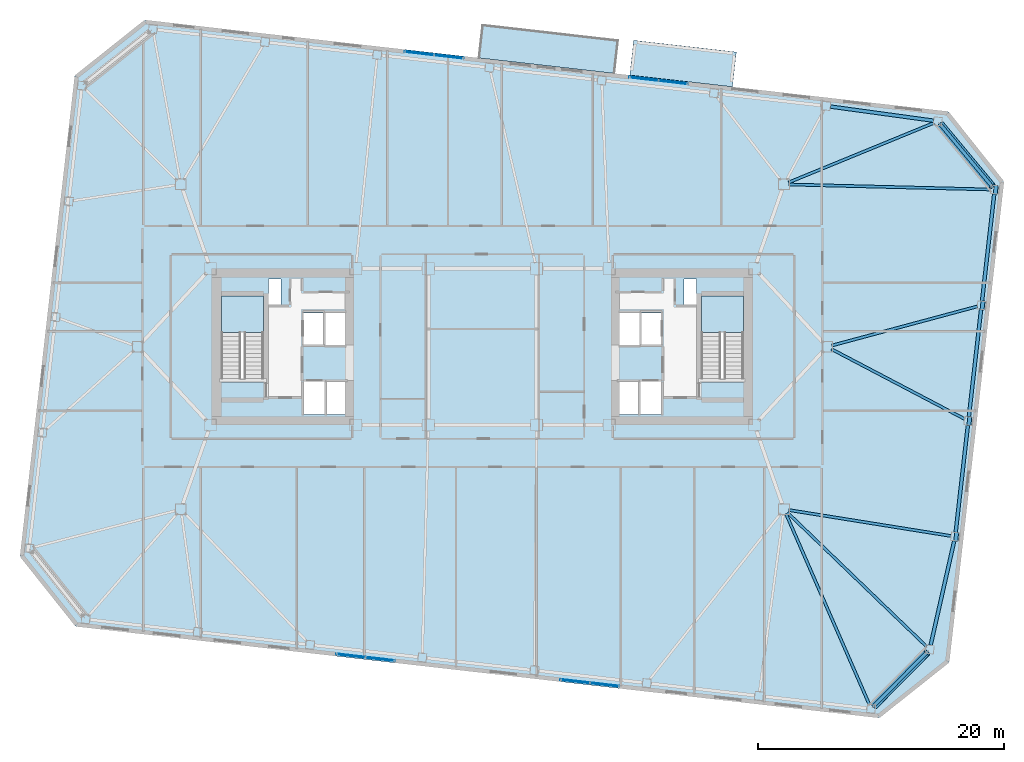
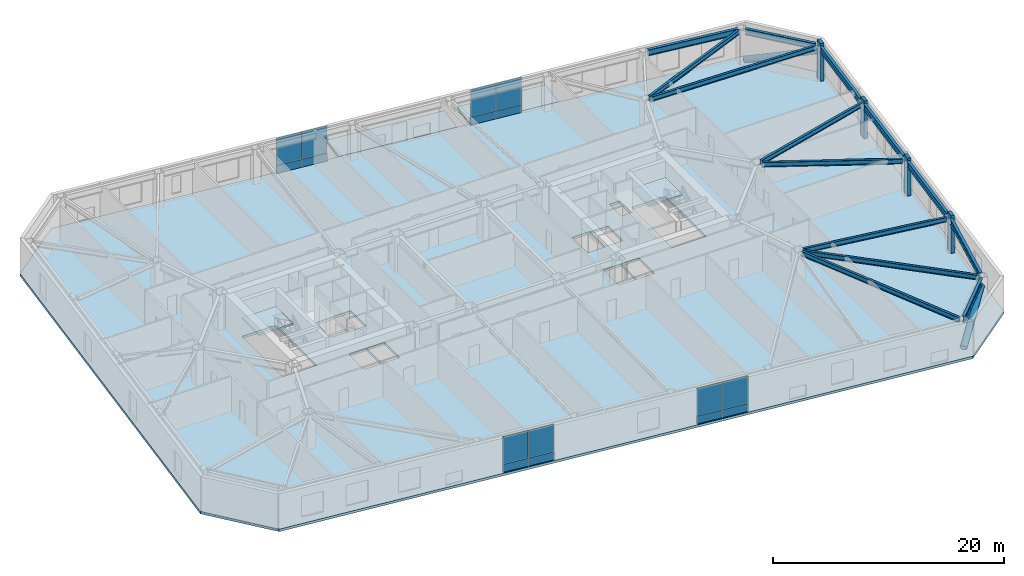
# One storey, part 10 of 21: 16 plates, 14 beams, 6 members, 5 slabs, 6 elements without a shape of their own.
"""IFC4 building model written with IfcOpenShell, lengths in metres."""

import ifcopenshell
import ifcopenshell.guid

model = None  # the IFC model being written
_history = None  # IfcOwnerHistory: only IFC2X3 demands one
_inside = {}  # id of a spatial element -> (the spatial element, [elements in it])
_under = {}  # id of a project, library or spatial element -> (it, [spatial elements below it])
_declared = {}  # id of a project -> (the project, [libraries it declares])
_typed = {}  # id of a type object -> (the type object, [elements of that type])
_made_of = {}  # id of a material, layer set ... -> (it, [elements and type objects made of it])


def new_model(schema):
    """Start an empty IFC model of exactly this schema.

    Asked for "IFC4X3", IfcOpenShell would pick the latest addendum, in which some entities
    have other attributes; the version numbers below select the first issue.
    IFC2X3 requires an IfcOwnerHistory on every rooted entity: one is made here for all.
    """
    global model, _history
    if schema == "IFC4X3":
        model = ifcopenshell.file(schema_version=(4, 3, 0, 0))
    else:
        model = ifcopenshell.file(schema=schema)
    _inside.clear()
    _under.clear()
    _declared.clear()
    _typed.clear()
    _made_of.clear()
    _history = None
    if model.schema == "IFC2X3":
        org = make("IfcOrganization", Name="unknown")
        user = make(
            "IfcPersonAndOrganization",
            ThePerson=make("IfcPerson", FamilyName="unknown"),
            TheOrganization=org,
        )
        app = make(
            "IfcApplication",
            ApplicationDeveloper=org,
            Version="unknown",
            ApplicationFullName="unknown",
            ApplicationIdentifier="unknown",
        )
        _history = make(
            "IfcOwnerHistory",
            OwningUser=user,
            OwningApplication=app,
            ChangeAction="ADDED",
            CreationDate=0,
        )
    return model


def make(cls, **values):
    """One entity of the class cls with the attributes given. An attribute that is None is left unset."""
    return model.create_entity(
        cls, **{name: value for name, value in values.items() if value is not None}
    )


def rooted(cls, **values):
    """An entity with a GlobalId (a new one), such as an element, a storey or a relation."""
    return make(cls, GlobalId=ifcopenshell.guid.new(), OwnerHistory=_history, **values)


def si_unit(unit_type, name, prefix=None):
    """IfcSIUnit, for example si_unit("LENGTHUNIT", "METRE", prefix="MILLI")."""
    return make("IfcSIUnit", UnitType=unit_type, Prefix=prefix, Name=name)


def assignment(units):
    """IfcUnitAssignment: the units of a project."""
    return None if units is None else make("IfcUnitAssignment", Units=units)


def point(xyz):
    """IfcCartesianPoint."""
    return None if xyz is None else make("IfcCartesianPoint", Coordinates=xyz)


def direction(xyz):
    """IfcDirection."""
    return None if xyz is None else make("IfcDirection", DirectionRatios=xyz)


def frame(location, z_axis=None, x_axis=None):
    """IfcAxis2Placement3D, a coordinate frame: its origin and axes. An axis left out is left unset."""
    return make(
        "IfcAxis2Placement3D",
        Location=point(location),
        Axis=direction(z_axis),
        RefDirection=direction(x_axis),
    )


def frame_2d(location, x_axis=None):
    """IfcAxis2Placement2D, a coordinate frame in the plane: its origin and x axis."""
    return make(
        "IfcAxis2Placement2D", Location=point(location), RefDirection=direction(x_axis)
    )


def origin():
    """The frame at (0, 0, 0) with its axes left unset."""
    return frame((0.0, 0.0, 0.0))


def origin_2d():
    """The frame at (0, 0) in the plane with its x axis left unset."""
    return frame_2d((0.0, 0.0))


def place(relative_to, where):
    """IfcLocalPlacement: puts the frame where relative to a parent placement (None: the world)."""
    return make(
        "IfcLocalPlacement", PlacementRelTo=relative_to, RelativePlacement=where
    )


def context(
    kind, dimensions, precision=None, world=None, true_north=None, identifier=None
):
    """IfcGeometricRepresentationContext, for example the 3D "Model" context."""
    return make(
        "IfcGeometricRepresentationContext",
        ContextIdentifier=identifier,
        ContextType=kind,
        CoordinateSpaceDimension=dimensions,
        Precision=precision,
        WorldCoordinateSystem=world,
        TrueNorth=true_north,
    )


def subcontext(parent, identifier, kind, view, scale=None):
    """IfcGeometricRepresentationSubContext, for example "Body" below "Model"."""
    return make(
        "IfcGeometricRepresentationSubContext",
        ContextIdentifier=identifier,
        ContextType=kind,
        ParentContext=parent,
        TargetScale=scale,
        TargetView=view,
    )


def project(units=None, contexts=None):
    """IfcProject with its units and contexts."""
    return rooted(
        "IfcProject",
        Name="project",
        RepresentationContexts=contexts,
        UnitsInContext=assignment(units),
    )


def spatial(cls, under=None, at=None, **own):
    """A site, building, storey or space (cls), placed at a placement, below another one or the project."""
    s = rooted(cls, ObjectPlacement=at, **own)
    if under is not None:
        _under.setdefault(under.id(), (under, []))[1].append(s)
    return s


def polyline(points):
    """IfcPolyline through the points."""
    return make("IfcPolyline", Points=[point(p) for p in points])


def profile(cls, at=None, kind="AREA", **sizes):
    """A parametric profile (cls). Its sizes go by their IFC names, for example OverallWidth=200.0."""
    return make(cls, ProfileType=kind, Position=at, **sizes)


def rectangle(**sizes):
    """IfcRectangleProfileDef."""
    return profile("IfcRectangleProfileDef", **sizes)


def hollow_circle(**sizes):
    """IfcCircleHollowProfileDef."""
    return profile("IfcCircleHollowProfileDef", **sizes)


def i_section(**sizes):
    """IfcIShapeProfileDef."""
    return profile("IfcIShapeProfileDef", **sizes)


def outline(outer, holes=None, kind="AREA"):
    """IfcArbitraryClosedProfileDef: a profile drawn as a closed curve; with holes, ...WithVoids."""
    if holes is None:
        return make("IfcArbitraryClosedProfileDef", ProfileType=kind, OuterCurve=outer)
    return make(
        "IfcArbitraryProfileDefWithVoids",
        ProfileType=kind,
        OuterCurve=outer,
        InnerCurves=holes,
    )


def extrude(swept, where, along, depth):
    """IfcExtrudedAreaSolid: the profile swept, set in the frame where, extruded along a direction by depth."""
    return make(
        "IfcExtrudedAreaSolid",
        SweptArea=swept,
        Position=where,
        ExtrudedDirection=direction(along),
        Depth=depth,
    )


def shape(context_of_items, identifier, shape_type, items):
    """IfcShapeRepresentation: the items that make up one representation, for example the "Body"."""
    return make(
        "IfcShapeRepresentation",
        ContextOfItems=context_of_items,
        RepresentationIdentifier=identifier,
        RepresentationType=shape_type,
        Items=items,
    )


def material(Name=None, Category=None):
    """IfcMaterial."""
    return make("IfcMaterial", Name=Name, Category=Category)


def layer(
    of_material, thickness, ventilated=None, Name=None, Category=None, Priority=None
):
    """IfcMaterialLayer: one layer of a wall or slab, of a material (None: an air gap)."""
    return make(
        "IfcMaterialLayer",
        Material=of_material,
        LayerThickness=thickness,
        IsVentilated=ventilated,
        Name=Name,
        Category=Category,
        Priority=Priority,
    )


def layer_set(layers, Name=None):
    """IfcMaterialLayerSet."""
    return make("IfcMaterialLayerSet", MaterialLayers=layers, LayerSetName=Name)


def material_profile(
    of_material, cross_section, Name=None, Category=None, Priority=None
):
    """IfcMaterialProfile: a cross section and its material."""
    return make(
        "IfcMaterialProfile",
        Name=Name,
        Material=of_material,
        Profile=cross_section,
        Priority=Priority,
        Category=Category,
    )


def profile_set(profiles, Name=None, composite=None):
    """IfcMaterialProfileSet."""
    return make(
        "IfcMaterialProfileSet",
        Name=Name,
        MaterialProfiles=profiles,
        CompositeProfile=composite,
    )


def made_of(thing, what):
    """Note that an element or type object is made of a material, layer set ...; save() writes the relation."""
    if what is not None:
        _made_of.setdefault(what.id(), (what, []))[1].append(thing)
    return thing


def type_object(cls, material=None, **own):
    """A type object (cls), such as IfcWallType, which elements share."""
    return made_of(rooted(cls, **own), material)


def element(
    cls,
    number,
    at=None,
    inside=None,
    cuts=None,
    type_object=None,
    material=None,
    context=None,
    identifier="Body",
    shape_type=None,
    held_by="IfcProductDefinitionShape",
    body=None,
    shapes=None,
    **own,
):
    """One element of the class cls, such as IfcWall. Its Tag is "e" and its number.

    at: its placement. inside: the storey or other place that contains it. cuts: it is an
    opening in that element (IfcRelVoidsElement). A single representation is given by context,
    identifier, shape_type and body (its items); several are given by shapes. held_by: the class
    of the entity that holds the representations. save() writes the other relations.
    """
    e = rooted(cls, Tag="e%d" % number, ObjectPlacement=at, **own)
    if body is not None:
        shapes = [shape(context, identifier, shape_type, body)]
    if shapes is not None:
        e.Representation = make(held_by, Representations=shapes)
    if inside is not None:
        _inside.setdefault(inside.id(), (inside, []))[1].append(e)
    if cuts is not None:
        rooted(
            "IfcRelVoidsElement", RelatingBuildingElement=cuts, RelatedOpeningElement=e
        )
    if type_object is not None:
        _typed.setdefault(type_object.id(), (type_object, []))[1].append(e)
    return made_of(e, material)


def aggregate(whole, parts):
    """IfcRelAggregates: a whole, such as a stair, and the parts it consists of."""
    return rooted("IfcRelAggregates", RelatingObject=whole, RelatedObjects=parts)


def save(model, path):
    """Write the relations noted so far, then the file.

    IfcRelAggregates (storeys below a building ...), IfcRelContainedInSpatialStructure (elements
    in a storey), IfcRelDefinesByType, IfcRelAssociatesMaterial and IfcRelDeclares: one each for
    every whole, place, type object, material and project.
    """
    for whole, parts in _under.values():
        aggregate(whole, parts)
    for where, things in _inside.values():
        rooted(
            "IfcRelContainedInSpatialStructure",
            RelatedElements=things,
            RelatingStructure=where,
        )
    for kind, things in _typed.values():
        rooted("IfcRelDefinesByType", RelatedObjects=things, RelatingType=kind)
    for what, things in _made_of.values():
        rooted("IfcRelAssociatesMaterial", RelatedObjects=things, RelatingMaterial=what)
    for by, libraries in _declared.values():
        rooted("IfcRelDeclares", RelatingContext=by, RelatedDefinitions=libraries)
    model.write(path)


model = new_model("IFC4")

# Units and contexts
model_context = context("Model", 3, precision=1e-05, world=origin(), true_north=direction((0.0, 1.0)))
body_context = subcontext(model_context, "Body", "Model", "MODEL_VIEW")
ifc_project = project(units=[si_unit("LENGTHUNIT", "METRE"), si_unit("AREAUNIT", "SQUARE_METRE"), si_unit("VOLUMEUNIT", "CUBIC_METRE"), si_unit("PLANEANGLEUNIT", "RADIAN"), si_unit("MASSUNIT", "GRAM", prefix="KILO")], contexts=[model_context])

# Site, building, storey
site_placement = place(None, origin())
site = spatial("IfcSite", under=ifc_project, at=site_placement, CompositionType="ELEMENT")
building_placement = place(site_placement, origin())
building = spatial("IfcBuilding", under=site, at=building_placement, Name="Tavrogorsk Clinical Tower", CompositionType="ELEMENT")
storey_placement = place(building_placement, frame((0.0, 0.0, 125.39990234375)))
storey = spatial("IfcBuildingStorey", under=building, at=storey_placement, Name="L28", CompositionType="ELEMENT", Elevation=125.39990234375)

# Members
ifc_material_1 = material(Name="Structural steel S440", Category="steel")
ifc_material_profile_1 = material_profile(ifc_material_1, hollow_circle(Radius=0.304931640625, WallThickness=0.02490234375, at=origin_2d()), Name="CHS-610x25")
ifc_profile_set_1 = profile_set([ifc_material_profile_1], Name="Structural steel S440")
member_type_1 = type_object("IfcMemberType", Name="ExoBrace_CHS610", PredefinedType="BRACE", material=ifc_profile_set_1)
member_1_placement = place(storey_placement, frame((31.81640625, -29.1650390625, 0.4345703125), z_axis=(0.651430241483, 0.659222469252, 0.375585378463), x_axis=(-0.711298174517, 0.702890394677, 0.0)))
element("IfcMember", 1, at=member_1_placement, inside=storey, type_object=member_type_1, Name="L28 Corner Exoskeleton Brace S8-E1", PredefinedType="BRACE", context=body_context, shape_type="SweptSolid", body=[
    extrude(hollow_circle(Radius=0.304931640625, WallThickness=0.02490234375, at=origin_2d()), origin(), (0.0, 0.0, 1.0), 6.57958984375),
])
member_2_placement = place(storey_placement, frame((37.2109375, 18.06640625, 0.427001953125), z_axis=(0.598616328588, -0.718269947263, 0.354607915882), x_axis=(0.768190751014, 0.640221032189, 0.0)))
element("IfcMember", 2, at=member_2_placement, inside=storey, type_object=member_type_1, Name="L28 Corner Exoskeleton Brace E5-N1", PredefinedType="BRACE", context=body_context, shape_type="SweptSolid", body=[
    extrude(hollow_circle(Radius=0.304931640625, WallThickness=0.02490234375, at=origin_2d()), origin(), (0.0, 0.0, 1.0), 7.0107421875),
])

# Beams
ifc_material_2 = material(Name="Structural steel S355", Category="steel")
ifc_material_profile_2 = material_profile(ifc_material_2, i_section(OverallWidth=0.219970703125, OverallDepth=0.5, WebThickness=0.012939453125, FlangeThickness=0.02001953125, at=origin_2d()), Name="B-500x220x13x20")
ifc_profile_set_2 = profile_set([ifc_material_profile_2], Name="Structural steel S355")
beam_type_1 = type_object("IfcBeamType", Name="FloorBeam_B500", PredefinedType="BEAM", material=ifc_profile_set_2)
beam_1_placement = place(storey_placement, frame((24.664306640625, -13.57568359375, 3.489990234375), z_axis=(0.400586354613, -0.916259009504, 0.0), x_axis=(0.916259009504, 0.400586354613, 0.0)))
element("IfcBeam", 3, at=beam_1_placement, inside=storey, type_object=beam_type_1, Name="L28 Radial Floor Beam S8", PredefinedType="BEAM", context=body_context, shape_type="SweptSolid", body=[
    extrude(i_section(OverallWidth=0.219970703125, OverallDepth=0.5, WebThickness=0.012939453125, FlangeThickness=0.02001953125, at=origin_2d()), origin(), (0.0, 0.0, 1.0), 16.91357421875),
])
beam_2_placement = place(storey_placement, frame((24.87939453125, 13.35546875, 3.489990234375), z_axis=(0.925250223374, 0.379357383143, 0.0), x_axis=(-0.379357383143, 0.925250223374, 0.0)))
element("IfcBeam", 4, at=beam_2_placement, inside=storey, type_object=beam_type_1, Name="L28 Radial Floor Beam N1", PredefinedType="BEAM", context=body_context, shape_type="SweptSolid", body=[
    extrude(i_section(OverallWidth=0.219970703125, OverallDepth=0.5, WebThickness=0.012939453125, FlangeThickness=0.02001953125, at=origin_2d()), origin(), (0.0, 0.0, 1.0), 12.738037109375),
])
beam_3_placement = place(storey_placement, frame((24.79541015625, -13.484375, 3.489990234375), z_axis=(0.720494740362, -0.693460401977, 0.0), x_axis=(0.693460401977, 0.720494740362, 0.0)))
element("IfcBeam", 5, at=beam_3_placement, inside=storey, type_object=beam_type_1, Name="L28 Radial Floor Beam E1", PredefinedType="BEAM", context=body_context, shape_type="SweptSolid", body=[
    extrude(i_section(OverallWidth=0.219970703125, OverallDepth=0.5, WebThickness=0.012939453125, FlangeThickness=0.02001953125, at=origin_2d()), origin(), (0.0, 0.0, 1.0), 15.659423828125),
])
beam_4_placement = place(storey_placement, frame((24.90478515625, -13.2646484375, 3.489990234375), z_axis=(0.987456527754, -0.157891120067, 0.0), x_axis=(0.157891120067, 0.987456527754, 0.0)))
element("IfcBeam", 6, at=beam_4_placement, inside=storey, type_object=beam_type_1, Name="L28 Radial Floor Beam E2", PredefinedType="BEAM", context=body_context, shape_type="SweptSolid", body=[
    extrude(i_section(OverallWidth=0.219970703125, OverallDepth=0.5, WebThickness=0.012939453125, FlangeThickness=0.02001953125, at=origin_2d()), origin(), (0.0, 0.0, 1.0), 13.31787109375),
])
beam_5_placement = place(storey_placement, frame((28.363037109375, -0.1904296875, 3.489990234375), z_axis=(0.885467298335, -0.464701693111, 0.0), x_axis=(0.464701693111, 0.885467298335, 0.0)))
element("IfcBeam", 7, at=beam_5_placement, inside=storey, type_object=beam_type_1, Name="L28 Radial Floor Beam E3", PredefinedType="BEAM", context=body_context, shape_type="SweptSolid", body=[
    extrude(i_section(OverallWidth=0.219970703125, OverallDepth=0.5, WebThickness=0.012939453125, FlangeThickness=0.02001953125, at=origin_2d()), origin(), (0.0, 0.0, 1.0), 12.197021484375),
])
beam_6_placement = place(storey_placement, frame((28.39599609375, 0.1064453125, 3.489990234375), z_axis=(0.965705720144, 0.259639099677, 0.0), x_axis=(-0.259639099677, 0.965705720144, 0.0)))
element("IfcBeam", 8, at=beam_6_placement, inside=storey, type_object=beam_type_1, Name="L28 Radial Floor Beam E4", PredefinedType="BEAM", context=body_context, shape_type="SweptSolid", body=[
    extrude(i_section(OverallWidth=0.219970703125, OverallDepth=0.5, WebThickness=0.012939453125, FlangeThickness=0.02001953125, at=origin_2d()), origin(), (0.0, 0.0, 1.0), 12.228759765625),
])
beam_7_placement = place(storey_placement, frame((24.909912109375, 13.189697265625, 3.489990234375), z_axis=(0.999690121031, -0.024893009314, 0.0), x_axis=(0.024893009314, 0.999690121031, 0.0)))
element("IfcBeam", 9, at=beam_7_placement, inside=storey, type_object=beam_type_1, Name="L28 Radial Floor Beam E5", PredefinedType="BEAM", context=body_context, shape_type="SweptSolid", body=[
    extrude(i_section(OverallWidth=0.219970703125, OverallDepth=0.5, WebThickness=0.012939453125, FlangeThickness=0.02001953125, at=origin_2d()), origin(), (0.0, 0.0, 1.0), 16.359130859375),
])

# Members
ifc_material_3 = material(Name="Precast concrete B45 with limestone cladding", Category="masonry")
ifc_material_profile_3 = material_profile(ifc_material_3, rectangle(XDim=0.320068359375, YDim=0.719970703125, at=origin_2d()), Name="LIMESTONE-FIN-320x720")
ifc_profile_set_3 = profile_set([ifc_material_profile_3], Name="Precast concrete B45 with limestone cladding")
member_type_2 = type_object("IfcMemberType", Name="LimestonePleatFin_320x720", PredefinedType="USERDEFINED", material=ifc_profile_set_3)
for number, where, z_axis, x_axis, name in (
    (10, (38.48876953125, -15.432861328125, 0.0), (0.0, 0.0, 1.0), (0.993571855677, -0.113203213768, 0.0), "L28 E Pleated Stone Fin 1"),
    (11, (39.5595703125, -6.03369140625, 0.0), (0.0, 0.0, 1.0), (0.993571855677, -0.113203213768, 0.0), "L28 E Pleated Stone Fin 2"),
    (12, (40.63037109375, 3.365234375, 0.0), (0.0, 0.0, 1.0), (0.993571855677, -0.113203213768, 0.0), "L28 E Pleated Stone Fin 3"),
    (13, (41.701416015625, 12.7646484375, 0.0), (0.0, 0.0, 1.0), (0.993571855677, -0.113203213768, 0.0), "L28 E Pleated Stone Fin 4"),
):
    element("IfcMember", number, at=place(storey_placement, frame(where, z_axis=z_axis, x_axis=x_axis)), inside=storey, type_object=member_type_2, Name=name, ObjectType="FIN", PredefinedType="USERDEFINED", context=body_context, shape_type="SweptSolid", body=[
        extrude(rectangle(XDim=0.320068359375, YDim=0.719970703125, at=origin_2d()), origin(), (0.0, 0.0, 1.0), 4.0),
    ])

# Beams
ifc_material_4 = material(Name="Structural steel S390", Category="steel")
ifc_material_profile_4 = material_profile(ifc_material_4, i_section(OverallWidth=0.280029296875, OverallDepth=0.64990234375, WebThickness=0.01611328125, FlangeThickness=0.02490234375, at=origin_2d()), Name="B-650x280x16x25")
ifc_profile_set_4 = profile_set([ifc_material_profile_4], Name="Structural steel S390")
beam_type_2 = type_object("IfcBeamType", Name="SpandrelBeam_B650", PredefinedType="SPANDREL", material=ifc_profile_set_4)
beam_8_placement = place(storey_placement, frame((31.834716796875, -29.146240234375, 3.4150390625), z_axis=(0.702934929184, 0.711254163667, 0.0), x_axis=(-0.711254163667, 0.702934929184, 0.0)))
element("IfcBeam", 14, at=beam_8_placement, inside=storey, type_object=beam_type_2, Name="L28 Perimeter Spandrel S8-E1", PredefinedType="SPANDREL", context=body_context, shape_type="SweptSolid", body=[
    extrude(i_section(OverallWidth=0.280029296875, OverallDepth=0.64990234375, WebThickness=0.01611328125, FlangeThickness=0.02490234375, at=origin_2d()), origin(), (0.0, 0.0, 1.0), 6.04541015625),
])
beam_9_placement = place(storey_placement, frame((36.414794921875, -24.242431640625, 3.4150390625), z_axis=(0.220602599501, 0.975363774749, 0.0), x_axis=(-0.975363774749, 0.220602599501, 0.0)))
element("IfcBeam", 15, at=beam_9_placement, inside=storey, type_object=beam_type_2, Name="L28 Perimeter Spandrel E1-E2", PredefinedType="SPANDREL", context=body_context, shape_type="SweptSolid", body=[
    extrude(i_section(OverallWidth=0.280029296875, OverallDepth=0.64990234375, WebThickness=0.01611328125, FlangeThickness=0.02490234375, at=origin_2d()), origin(), (0.0, 0.0, 1.0), 8.68310546875),
])
for number, where, z_axis, x_axis, name in (
    (16, (38.44970703125, -15.068115234375, 3.4150390625), (0.113192226434, 0.993573107464, 0.0), (-0.993573107464, 0.113192226434, 0.0), "L28 Perimeter Spandrel E2-E3"),
    (17, (39.520751953125, -5.6689453125, 3.4150390625), (0.113192226434, 0.993573107464, 0.0), (-0.993573107464, 0.113192226434, 0.0), "L28 Perimeter Spandrel E3-E4"),
):
    element("IfcBeam", number, at=place(storey_placement, frame(where, z_axis=z_axis, x_axis=x_axis)), inside=storey, type_object=beam_type_2, Name=name, PredefinedType="SPANDREL", context=body_context, shape_type="SweptSolid", body=[
        extrude(i_section(OverallWidth=0.280029296875, OverallDepth=0.64990234375, WebThickness=0.01611328125, FlangeThickness=0.02490234375, at=origin_2d()), origin(), (0.0, 0.0, 1.0), 8.743896484375),
    ])
beam_10_placement = place(storey_placement, frame((40.591552734375, 3.72998046875, 3.4150390625), z_axis=(0.113189086379, 0.993573465188, 0.0), x_axis=(-0.993573465188, 0.113189086379, 0.0)))
element("IfcBeam", 18, at=beam_10_placement, inside=storey, type_object=beam_type_2, Name="L28 Perimeter Spandrel E4-E5", PredefinedType="SPANDREL", context=body_context, shape_type="SweptSolid", body=[
    extrude(i_section(OverallWidth=0.280029296875, OverallDepth=0.64990234375, WebThickness=0.01611328125, FlangeThickness=0.02490234375, at=origin_2d()), origin(), (0.0, 0.0, 1.0), 8.744140625),
])
beam_11_placement = place(storey_placement, frame((41.392578125, 13.048583984375, 3.4150390625), z_axis=(-0.640191778751, 0.768215130299, 0.0), x_axis=(-0.768215130299, -0.640191778751, 0.0)))
element("IfcBeam", 19, at=beam_11_placement, inside=storey, type_object=beam_type_2, Name="L28 Perimeter Spandrel E5-N1", PredefinedType="SPANDREL", context=body_context, shape_type="SweptSolid", body=[
    extrude(i_section(OverallWidth=0.280029296875, OverallDepth=0.64990234375, WebThickness=0.01611328125, FlangeThickness=0.02490234375, at=origin_2d()), origin(), (0.0, 0.0, 1.0), 6.508544921875),
])
beam_12_placement = place(storey_placement, frame((36.641845703125, 18.3720703125, 3.4150390625), z_axis=(-0.990722121657, 0.135903192232, 0.0), x_axis=(-0.135903192232, -0.990722121657, 0.0)))
element("IfcBeam", 20, at=beam_12_placement, inside=storey, type_object=beam_type_2, Name="L28 Perimeter Spandrel N1-N2", PredefinedType="SPANDREL", context=body_context, shape_type="SweptSolid", body=[
    extrude(i_section(OverallWidth=0.280029296875, OverallDepth=0.64990234375, WebThickness=0.01611328125, FlangeThickness=0.02490234375, at=origin_2d()), origin(), (0.0, 0.0, 1.0), 8.439697265625),
])

# Curtain wall, plates
ifc_material_5 = material(Name="Anodised aluminium and triple IGU glazing", Category="aluminium")
ifc_layer_1 = layer(ifc_material_5, 0.179931640625)
ifc_layer_set_1 = layer_set([ifc_layer_1], Name="Anodised aluminium and triple IGU glazing")
curtain_wall_type_1 = type_object("IfcCurtainWallType", Name="CW3_SouthSlot", PredefinedType="NOTDEFINED", material=ifc_layer_set_1)
curtain_wall_1_placement = place(storey_placement, origin())
curtain_wall_1 = element("IfcCurtainWall", 21, at=curtain_wall_1_placement, inside=storey, type_object=curtain_wall_type_1, Name="L28 Curtain Wall CW-L28-S-SLOT-1", PredefinedType="NOTDEFINED")
ifc_material_6 = material(Name="Honed Podolsk limestone spandrel panel", Category="masonry")
ifc_layer_2 = layer(ifc_material_6, 0.080078125)
ifc_layer_set_2 = layer_set([ifc_layer_2], Name="Honed Podolsk limestone spandrel panel")
plate_type_1 = type_object("IfcPlateType", Name="CwSpandrelStonePanel_80", PredefinedType="CURTAIN_PANEL", material=ifc_layer_set_2)
plate_1_placement = place(storey_placement, frame((-10.70654296875, -25.095947265625, 0.002197265625), z_axis=(0.0, 0.0, 1.0), x_axis=(0.993571855603, -0.11320321441, 0.0)))
plate_1 = element("IfcPlate", 22, at=plate_1_placement, type_object=plate_type_1, Name="CW-L28-S-SLOT-1 Stone Spandrel Panel 1", PredefinedType="CURTAIN_PANEL", context=body_context, shape_type="SweptSolid", body=[
    extrude(rectangle(XDim=2.39208984375, YDim=0.080078125, at=origin_2d()), origin(), (0.0, 0.0, 1.0), 0.8359375),
])
plate_2_placement = place(storey_placement, frame((-8.30615234375, -25.36962890625, 0.002197265625), z_axis=(0.0, 0.0, 1.0), x_axis=(0.993571855603, -0.11320321441, 0.0)))
plate_2 = element("IfcPlate", 23, at=plate_2_placement, type_object=plate_type_1, Name="CW-L28-S-SLOT-1 Stone Spandrel Panel 2", PredefinedType="CURTAIN_PANEL", context=body_context, shape_type="SweptSolid", body=[
    extrude(rectangle(XDim=2.39208984375, YDim=0.080078125, at=origin_2d()), origin(), (0.0, 0.0, 1.0), 0.8359375),
])

curtain_wall_2_placement = place(storey_placement, origin())
curtain_wall_2 = element("IfcCurtainWall", 24, at=curtain_wall_2_placement, inside=storey, type_object=curtain_wall_type_1, Name="L28 Curtain Wall CW-L28-S-SLOT-2", PredefinedType="NOTDEFINED")
plate_3_placement = place(storey_placement, frame((7.52978515625, -27.173828125, 0.002197265625), z_axis=(0.0, 0.0, 1.0), x_axis=(0.993571858269, -0.113203191016, 0.0)))
plate_3 = element("IfcPlate", 25, at=plate_3_placement, type_object=plate_type_1, Name="CW-L28-S-SLOT-2 Stone Spandrel Panel 1", PredefinedType="CURTAIN_PANEL", context=body_context, shape_type="SweptSolid", body=[
    extrude(rectangle(XDim=2.39208984375, YDim=0.080078125, at=origin_2d()), origin(), (0.0, 0.0, 1.0), 0.8359375),
])
plate_4_placement = place(storey_placement, frame((9.93017578125, -27.447265625, 0.002197265625), z_axis=(0.0, 0.0, 1.0), x_axis=(0.993571858269, -0.113203191016, 0.0)))
plate_4 = element("IfcPlate", 26, at=plate_4_placement, type_object=plate_type_1, Name="CW-L28-S-SLOT-2 Stone Spandrel Panel 2", PredefinedType="CURTAIN_PANEL", context=body_context, shape_type="SweptSolid", body=[
    extrude(rectangle(XDim=2.39208984375, YDim=0.080078125, at=origin_2d()), origin(), (0.0, 0.0, 1.0), 0.8359375),
])

ifc_material_7 = material(Name="Anodised aluminium and triple IGU glazing", Category="aluminium")
ifc_layer_3 = layer(ifc_material_7, 0.179931640625)
ifc_layer_set_3 = layer_set([ifc_layer_3], Name="Anodised aluminium and triple IGU glazing")
curtain_wall_type_2 = type_object("IfcCurtainWallType", Name="CW2_NorthSlot", PredefinedType="NOTDEFINED", material=ifc_layer_set_3)
curtain_wall_3_placement = place(storey_placement, origin())
curtain_wall_3 = element("IfcCurtainWall", 27, at=curtain_wall_3_placement, inside=storey, type_object=curtain_wall_type_2, Name="L28 Curtain Wall CW-L28-N-SLOT-1", PredefinedType="NOTDEFINED")
plate_5_placement = place(storey_placement, frame((-2.729736328125, 23.57373046875, 0.002197265625), z_axis=(0.0, 0.0, 1.0), x_axis=(-0.993571858269, 0.113203191016, 0.0)))
plate_5 = element("IfcPlate", 28, at=plate_5_placement, type_object=plate_type_1, Name="CW-L28-N-SLOT-1 Stone Spandrel Panel 1", PredefinedType="CURTAIN_PANEL", context=body_context, shape_type="SweptSolid", body=[
    extrude(rectangle(XDim=2.39208984375, YDim=0.080078125, at=origin_2d()), origin(), (0.0, 0.0, 1.0), 0.8359375),
])
plate_6_placement = place(storey_placement, frame((-5.130126953125, 23.847412109375, 0.002197265625), z_axis=(0.0, 0.0, 1.0), x_axis=(-0.993571858269, 0.113203191016, 0.0)))
plate_6 = element("IfcPlate", 29, at=plate_6_placement, type_object=plate_type_1, Name="CW-L28-N-SLOT-1 Stone Spandrel Panel 2", PredefinedType="CURTAIN_PANEL", context=body_context, shape_type="SweptSolid", body=[
    extrude(rectangle(XDim=2.39208984375, YDim=0.080078125, at=origin_2d()), origin(), (0.0, 0.0, 1.0), 0.8359375),
])

curtain_wall_4_placement = place(storey_placement, origin())
curtain_wall_4 = element("IfcCurtainWall", 30, at=curtain_wall_4_placement, inside=storey, type_object=curtain_wall_type_2, Name="L28 Curtain Wall CW-L28-N-SLOT-2", PredefinedType="NOTDEFINED")
plate_7_placement = place(storey_placement, frame((15.506591796875, 21.49609375, 0.002197265625), z_axis=(0.0, 0.0, 1.0), x_axis=(-0.993571855603, 0.11320321441, 0.0)))
plate_7 = element("IfcPlate", 31, at=plate_7_placement, type_object=plate_type_1, Name="CW-L28-N-SLOT-2 Stone Spandrel Panel 1", PredefinedType="CURTAIN_PANEL", context=body_context, shape_type="SweptSolid", body=[
    extrude(rectangle(XDim=2.39208984375, YDim=0.080078125, at=origin_2d()), origin(), (0.0, 0.0, 1.0), 0.8359375),
])
plate_8_placement = place(storey_placement, frame((13.106201171875, 21.76953125, 0.002197265625), z_axis=(0.0, 0.0, 1.0), x_axis=(-0.993571855603, 0.11320321441, 0.0)))
plate_8 = element("IfcPlate", 32, at=plate_8_placement, type_object=plate_type_1, Name="CW-L28-N-SLOT-2 Stone Spandrel Panel 2", PredefinedType="CURTAIN_PANEL", context=body_context, shape_type="SweptSolid", body=[
    extrude(rectangle(XDim=2.39208984375, YDim=0.080078125, at=origin_2d()), origin(), (0.0, 0.0, 1.0), 0.8359375),
])

# Plate
ifc_material_8 = material(Name="Triple low-E argon insulated glass", Category="glass")
ifc_layer_4 = layer(ifc_material_8, 0.048095703125)
ifc_layer_set_4 = layer_set([ifc_layer_4], Name="Triple low-E argon insulated glass")
plate_type_2 = type_object("IfcPlateType", Name="CwVisionGlassPanel_48", PredefinedType="CURTAIN_PANEL", material=ifc_layer_set_4)
plate_9_placement = place(storey_placement, frame((-10.70654296875, -25.095947265625, 0.862060546875), z_axis=(0.0, 0.0, 1.0), x_axis=(0.993571855603, -0.11320321441, 0.0)))
plate_9 = element("IfcPlate", 33, at=plate_9_placement, type_object=plate_type_2, Name="CW-L28-S-SLOT-1 Glazing Panel 1", PredefinedType="CURTAIN_PANEL", context=body_context, shape_type="SweptSolid", body=[
    extrude(rectangle(XDim=2.39208984375, YDim=0.048095703125, at=origin_2d()), origin(), (0.0, 0.0, 1.0), 2.8759765625),
])

plate_10_placement = place(storey_placement, frame((-8.30615234375, -25.36962890625, 0.862060546875), z_axis=(0.0, 0.0, 1.0), x_axis=(0.993571855603, -0.11320321441, 0.0)))
plate_10 = element("IfcPlate", 34, at=plate_10_placement, type_object=plate_type_2, Name="CW-L28-S-SLOT-1 Glazing Panel 2", PredefinedType="CURTAIN_PANEL", context=body_context, shape_type="SweptSolid", body=[
    extrude(rectangle(XDim=2.39208984375, YDim=0.048095703125, at=origin_2d()), origin(), (0.0, 0.0, 1.0), 2.8759765625),
])

aggregate(curtain_wall_1, [plate_1, plate_9, plate_2, plate_10])

plate_11_placement = place(storey_placement, frame((7.52978515625, -27.173828125, 0.862060546875), z_axis=(0.0, 0.0, 1.0), x_axis=(0.993571858269, -0.113203191016, 0.0)))
plate_11 = element("IfcPlate", 35, at=plate_11_placement, type_object=plate_type_2, Name="CW-L28-S-SLOT-2 Glazing Panel 1", PredefinedType="CURTAIN_PANEL", context=body_context, shape_type="SweptSolid", body=[
    extrude(rectangle(XDim=2.39208984375, YDim=0.048095703125, at=origin_2d()), origin(), (0.0, 0.0, 1.0), 2.8759765625),
])

plate_12_placement = place(storey_placement, frame((9.93017578125, -27.447265625, 0.862060546875), z_axis=(0.0, 0.0, 1.0), x_axis=(0.993571858269, -0.113203191016, 0.0)))
plate_12 = element("IfcPlate", 36, at=plate_12_placement, type_object=plate_type_2, Name="CW-L28-S-SLOT-2 Glazing Panel 2", PredefinedType="CURTAIN_PANEL", context=body_context, shape_type="SweptSolid", body=[
    extrude(rectangle(XDim=2.39208984375, YDim=0.048095703125, at=origin_2d()), origin(), (0.0, 0.0, 1.0), 2.8759765625),
])

aggregate(curtain_wall_2, [plate_3, plate_11, plate_4, plate_12])

plate_13_placement = place(storey_placement, frame((-2.729736328125, 23.57373046875, 0.862060546875), z_axis=(0.0, 0.0, 1.0), x_axis=(-0.993571858269, 0.113203191016, 0.0)))
plate_13 = element("IfcPlate", 37, at=plate_13_placement, type_object=plate_type_2, Name="CW-L28-N-SLOT-1 Glazing Panel 1", PredefinedType="CURTAIN_PANEL", context=body_context, shape_type="SweptSolid", body=[
    extrude(rectangle(XDim=2.39208984375, YDim=0.048095703125, at=origin_2d()), origin(), (0.0, 0.0, 1.0), 2.8759765625),
])

plate_14_placement = place(storey_placement, frame((-5.130126953125, 23.847412109375, 0.862060546875), z_axis=(0.0, 0.0, 1.0), x_axis=(-0.993571858269, 0.113203191016, 0.0)))
plate_14 = element("IfcPlate", 38, at=plate_14_placement, type_object=plate_type_2, Name="CW-L28-N-SLOT-1 Glazing Panel 2", PredefinedType="CURTAIN_PANEL", context=body_context, shape_type="SweptSolid", body=[
    extrude(rectangle(XDim=2.39208984375, YDim=0.048095703125, at=origin_2d()), origin(), (0.0, 0.0, 1.0), 2.8759765625),
])

aggregate(curtain_wall_3, [plate_5, plate_13, plate_6, plate_14])

plate_15_placement = place(storey_placement, frame((15.506591796875, 21.49609375, 0.862060546875), z_axis=(0.0, 0.0, 1.0), x_axis=(-0.993571855603, 0.11320321441, 0.0)))
plate_15 = element("IfcPlate", 39, at=plate_15_placement, type_object=plate_type_2, Name="CW-L28-N-SLOT-2 Glazing Panel 1", PredefinedType="CURTAIN_PANEL", context=body_context, shape_type="SweptSolid", body=[
    extrude(rectangle(XDim=2.39208984375, YDim=0.048095703125, at=origin_2d()), origin(), (0.0, 0.0, 1.0), 2.8759765625),
])

plate_16_placement = place(storey_placement, frame((13.106201171875, 21.76953125, 0.862060546875), z_axis=(0.0, 0.0, 1.0), x_axis=(-0.993571855603, 0.11320321441, 0.0)))
plate_16 = element("IfcPlate", 40, at=plate_16_placement, type_object=plate_type_2, Name="CW-L28-N-SLOT-2 Glazing Panel 2", PredefinedType="CURTAIN_PANEL", context=body_context, shape_type="SweptSolid", body=[
    extrude(rectangle(XDim=2.39208984375, YDim=0.048095703125, at=origin_2d()), origin(), (0.0, 0.0, 1.0), 2.8759765625),
])

aggregate(curtain_wall_4, [plate_7, plate_15, plate_8, plate_16])

# Slab
ifc_material_9 = material(Name="Concrete B60", Category="concrete")
ifc_layer_5 = layer(ifc_material_9, 0.239990234375)
ifc_layer_set_5 = layer_set([ifc_layer_5], Name="Concrete B60")
slab_type_1 = type_object("IfcSlabType", Name="DayroomSlab_240", PredefinedType="FLOOR", material=ifc_layer_set_5)
slab_1_placement = place(storey_placement, frame((0.0, 0.0, -0.239990234375)))
element("IfcSlab", 41, at=slab_1_placement, inside=storey, type_object=slab_type_1, Name="L28 Day-Room Box Roof DRB-04", PredefinedType="ROOF", context=body_context, shape_type="SweptSolid", body=[
    extrude(outline(polyline([(12.286376953125, 24.902587890625), (20.63232421875, 23.95166015625), (20.309814453125, 21.119873046875), (11.963623046875, 22.07080078125), (12.286376953125, 24.902587890625)])), origin(), (0.0, 0.0, 1.0), 0.239990234375),
])

# Stair, slab
ifc_material_10 = material(Name="Concrete B60", Category="concrete")
stair_type = type_object("IfcStairType", Name="CoreStairAssembly", PredefinedType="HALF_TURN_STAIR", material=ifc_material_10)
stair_1_placement = place(storey_placement, origin())
stair_1 = element("IfcStair", 42, at=stair_1_placement, inside=storey, type_object=stair_type, Name="L28 ST-W", PredefinedType="HALF_TURN_STAIR")
ifc_material_11 = material(Name="Concrete B60", Category="concrete")
ifc_layer_6 = layer(ifc_material_11, 0.199951171875)
ifc_layer_set_6 = layer_set([ifc_layer_6], Name="Concrete B60")
slab_type_2 = type_object("IfcSlabType", Name="StairLanding_200", PredefinedType="LANDING", material=ifc_layer_set_6)
slab_2_placement = place(storey_placement, frame((0.0, 0.0, 1.800048828125)))
slab_2 = element("IfcSlab", 43, at=slab_2_placement, type_object=slab_type_2, Name="ST-W landing 1", PredefinedType="LANDING", context=body_context, shape_type="SweptSolid", body=[
    extrude(outline(polyline([(-17.800048828125, 1.1650390625), (-17.800048828125, 4.125), (-21.199951171875, 4.125), (-21.199951171875, 1.1650390625), (-17.800048828125, 1.1650390625)])), origin(), (0.0, 0.0, 1.0), 0.199951171875),
])
aggregate(stair_1, [slab_2])

stair_2_placement = place(storey_placement, origin())
stair_2 = element("IfcStair", 44, at=stair_2_placement, inside=storey, type_object=stair_type, Name="L28 ST-E", PredefinedType="HALF_TURN_STAIR")
slab_3_placement = place(storey_placement, frame((0.0, 0.0, 1.800048828125)))
slab_3 = element("IfcSlab", 45, at=slab_3_placement, type_object=slab_type_2, Name="ST-E landing 1", PredefinedType="LANDING", context=body_context, shape_type="SweptSolid", body=[
    extrude(outline(polyline([(21.199951171875, 1.1650390625), (21.199951171875, 4.125), (17.800048828125, 4.125), (17.800048828125, 1.1650390625), (21.199951171875, 1.1650390625)])), origin(), (0.0, 0.0, 1.0), 0.199951171875),
])
aggregate(stair_2, [slab_3])

# Slabs
ifc_material_12 = material(Name="Concrete B60", Category="concrete")
ifc_layer_7 = layer(ifc_material_12, 0.280029296875)
ifc_layer_set_7 = layer_set([ifc_layer_7], Name="Concrete B60")
slab_type_3 = type_object("IfcSlabType", Name="TerraceRoofSlab_280", PredefinedType="ROOF", material=ifc_layer_set_7)
slab_4_placement = place(storey_placement, frame((0.0, 0.0, -0.27978515625)))
element("IfcSlab", 46, at=slab_4_placement, inside=storey, type_object=slab_type_3, Name="Spiralling Recuperation Terrace Slab", PredefinedType="ROOF", context=body_context, shape_type="SweptSolid", body=[
    extrude(outline(polyline([(-0.04541015625, 26.206787109375), (11.082763671875, 24.93896484375), (10.771484375, 22.20654296875), (-0.356689453125, 23.474609375), (-0.04541015625, 26.206787109375)])), origin(), (0.0, 0.0, 1.0), 0.27978515625),
])
ifc_material_13 = material(Name="Concrete B60", Category="concrete")
ifc_layer_8 = layer(ifc_material_13, 0.260009765625)
ifc_layer_set_8 = layer_set([ifc_layer_8], Name="Concrete B60")
slab_type_4 = type_object("IfcSlabType", Name="WardSlab_260", PredefinedType="FLOOR", material=ifc_layer_set_8)
slab_5_placement = place(storey_placement, frame((0.0, 0.0, -0.260009765625)))
element("IfcSlab", 47, at=slab_5_placement, inside=storey, type_object=slab_type_4, Name="L28 Structural Slab", PredefinedType="FLOOR", context=body_context, shape_type="SweptSolid", body=[
    extrude(outline(polyline([(-32.99658203125, -22.7275390625), (32.181640625, -30.153564453125), (37.93701171875, -25.57568359375), (42.37451171875, 13.372314453125), (37.796630859375, 19.12744140625), (-27.381591796875, 26.5537109375), (-33.136962890625, 21.9755859375), (-37.574462890625, -16.972412109375), (-32.99658203125, -22.7275390625)]), holes=[polyline([(-17.800048828125, -2.8798828125), (-17.800048828125, 4.125), (-21.199951171875, 4.125), (-21.199951171875, -2.8798828125), (-17.800048828125, -2.8798828125)]), polyline([(21.199951171875, -2.8798828125), (21.199951171875, 4.125), (17.800048828125, 4.125), (17.800048828125, -2.8798828125), (21.199951171875, -2.8798828125)]), polyline([(-14.6201171875, 0.169921875), (-12.860107421875, 0.169921875), (-12.860107421875, 2.72998046875), (-14.6201171875, 2.72998046875), (-14.6201171875, 0.169921875)]), polyline([(-14.530029296875, -5.47998046875), (-12.77001953125, -5.47998046875), (-12.77001953125, -2.820068359375), (-14.530029296875, -2.820068359375), (-14.530029296875, -5.47998046875)]), polyline([(-12.72998046875, -5.47998046875), (-10.969970703125, -5.47998046875), (-10.969970703125, -2.820068359375), (-12.72998046875, -2.820068359375), (-12.72998046875, -5.47998046875)]), polyline([(-12.840087890625, 0.1201171875), (-11.080078125, 0.1201171875), (-11.080078125, 2.780029296875), (-12.840087890625, 2.780029296875), (-12.840087890625, 0.1201171875)]), polyline([(12.860107421875, 0.169921875), (14.6201171875, 0.169921875), (14.6201171875, 2.72998046875), (12.860107421875, 2.72998046875), (12.860107421875, 0.169921875)]), polyline([(12.77001953125, -5.47998046875), (14.530029296875, -5.47998046875), (14.530029296875, -2.820068359375), (12.77001953125, -2.820068359375), (12.77001953125, -5.47998046875)]), polyline([(10.969970703125, -5.47998046875), (12.72998046875, -5.47998046875), (12.72998046875, -2.820068359375), (10.969970703125, -2.820068359375), (10.969970703125, -5.47998046875)]), polyline([(11.080078125, 0.1201171875), (12.840087890625, 0.1201171875), (12.840087890625, 2.780029296875), (11.080078125, 2.780029296875), (11.080078125, 0.1201171875)]), polyline([(-17.3798828125, 3.449951171875), (-16.3798828125, 3.449951171875), (-16.3798828125, 5.5), (-17.3798828125, 5.5), (-17.3798828125, 3.449951171875)]), polyline([(16.3798828125, 3.449951171875), (17.3798828125, 3.449951171875), (17.3798828125, 5.5), (16.3798828125, 5.5), (16.3798828125, 3.449951171875)])]), origin(), (0.0, 0.0, 1.0), 0.260009765625),
])

save(model, "model.ifc")
